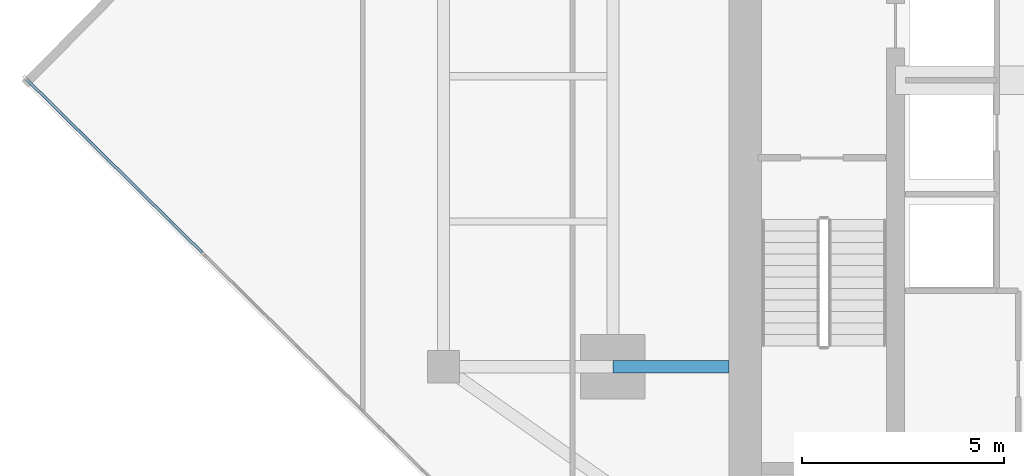
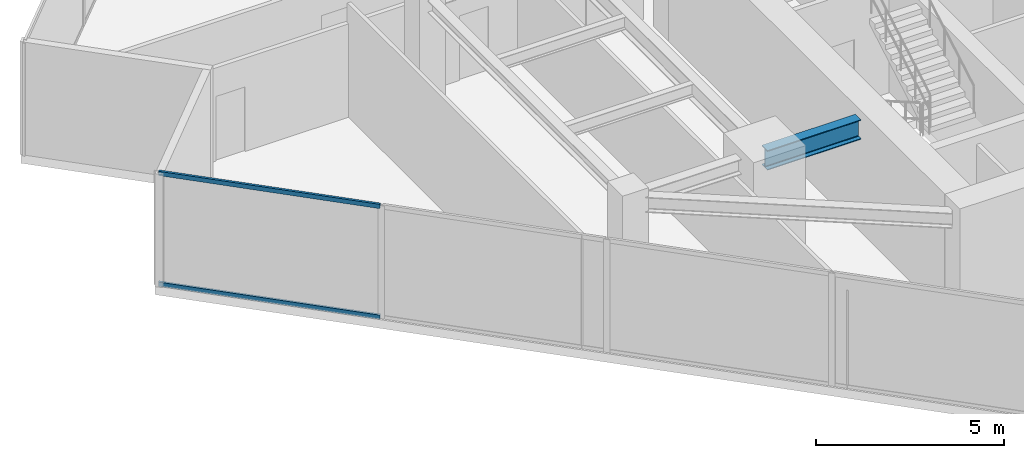
# One storey, part 4 of 24: 2 members, 1 beam, 1 element without a shape of its own.
"""IFC4 building model written with IfcOpenShell, lengths in metres."""

from ifc_helpers import new_model, si_unit, direction, frame, origin, origin_2d, place, context, subcontext, project, spatial, hollow_rectangle, i_section, extrude, source, transform, mapped, material, material_profile, profile_set, type_object, type_shapes, element, aggregate, save


model = new_model("IFC4")

# Units and contexts
model_context = context("Model", 3, precision=1e-05, world=origin(), true_north=direction((0.0, 1.0)))
body_context = subcontext(model_context, "Body", "Model", "MODEL_VIEW")
ifc_project = project(units=[si_unit("LENGTHUNIT", "METRE"), si_unit("AREAUNIT", "SQUARE_METRE"), si_unit("VOLUMEUNIT", "CUBIC_METRE"), si_unit("PLANEANGLEUNIT", "RADIAN"), si_unit("MASSUNIT", "GRAM", prefix="KILO")], contexts=[model_context])

# Site, building, storey
site_placement = place(None, origin())
site = spatial("IfcSite", under=ifc_project, at=site_placement, CompositionType="ELEMENT")
building_placement = place(site_placement, origin())
building = spatial("IfcBuilding", under=site, at=building_placement, Name="Krantzveldt Concourse Tower", CompositionType="ELEMENT")
storey_placement = place(building_placement, frame((0.0, 0.0, 234.949951171875)))
storey = spatial("IfcBuildingStorey", under=building, at=storey_placement, Name="L57", CompositionType="ELEMENT", Elevation=234.949951171875)

# Beam
ifc_material_1 = material(Name="Steel S355JR", Category="steel")
ifc_material_profile_1 = material_profile(ifc_material_1, i_section(OverallWidth=0.300048828125, OverallDepth=0.639892578125, WebThickness=0.013427734375, FlangeThickness=0.02587890625, FilletRadius=0.027099609375, at=origin_2d()), Name="Steel S355JR", Category="steel")
ifc_profile_set_1 = profile_set([ifc_material_profile_1], Name="Steel S355JR - HEA 650")
beam_type = type_object("IfcBeamType", Name="BM-B-HEA650", PredefinedType="BEAM", material=ifc_profile_set_1)
shared_shape_1 = source(origin(), body_context, "Body", "SweptSolid", [
    extrude(i_section(OverallWidth=0.300048828125, OverallDepth=0.639892578125, WebThickness=0.013427734375, FlangeThickness=0.02587890625, FilletRadius=0.027099609375, at=origin_2d()), origin(), (0.0, 0.0, 1.0), 2.880126953125),
])
type_shapes(beam_type, [shared_shape_1])
beam_placement = place(storey_placement, frame((25.199951171875, 15.89990234375, 3.35009765625), z_axis=(1.0, 0.0, 0.0), x_axis=(0.0, 1.0, 0.0)))
element("IfcBeam", 1, at=beam_placement, inside=storey, type_object=beam_type, Name="L57 Tower Girder BG-CW1", PredefinedType="BEAM", context=body_context, shape_type="MappedRepresentation", body=[
    mapped(shared_shape_1, transform((0.0, 0.0, 0.0), x_axis=(1.0, 0.0, 0.0), y_axis=(0.0, 1.0, 0.0), z_axis=(0.0, 0.0, 1.0), scale=1.0)),
])

# Curtain wall, members
ifc_material_2 = material(Name="Anodised aluminium 6063-T6", Category="aluminium")
curtain_wall_type = type_object("IfcCurtainWallType", Name="CW3", PredefinedType="USERDEFINED", material=ifc_material_2)
curtain_wall_placement = place(storey_placement, origin())
curtain_wall = element("IfcCurtainWall", 2, at=curtain_wall_placement, inside=storey, type_object=curtain_wall_type, Name="CW-L57-F04", ObjectType="UNITISED CURTAIN WALL", PredefinedType="USERDEFINED")
ifc_material_profile_2 = material_profile(ifc_material_2, hollow_rectangle(XDim=0.070068359375, YDim=0.139892578125, WallThickness=0.0048828125, at=origin_2d()), Name="Anodised aluminium 6063-T6", Category="aluminium")
ifc_profile_set_2 = profile_set([ifc_material_profile_2], Name="Anodised aluminium 6063-T6 - ALU-TRAN 140x70x5")
member_type = type_object("IfcMemberType", Name="CW-TRN-150", PredefinedType="USERDEFINED", material=ifc_profile_set_2)
shared_shape_2 = source(origin(), body_context, "Body", "SweptSolid", [
    extrude(hollow_rectangle(XDim=0.070068359375, YDim=0.139892578125, WallThickness=0.0048828125, at=origin_2d()), origin(), (0.0, 0.0, 1.0), 6.094970703125),
])
type_shapes(member_type, [shared_shape_2])
member_1_placement = place(storey_placement, frame((10.680908203125, 23.0126953125, 0.03515625), z_axis=(0.711718134154, -0.702465157511, 0.0), x_axis=(0.702465157511, 0.711718134154, 0.0)))
member_1 = element("IfcMember", 3, at=member_1_placement, type_object=member_type, Name="CW-Z34 transom 1.1", ObjectType="TRANSOM", PredefinedType="USERDEFINED", context=body_context, shape_type="MappedRepresentation", body=[
    mapped(shared_shape_2, transform((0.0, 0.0, 0.0), x_axis=(1.0, 0.0, 0.0), y_axis=(0.0, 1.0, 0.0), z_axis=(0.0, 0.0, 1.0), scale=1.0)),
])
member_2_placement = place(storey_placement, frame((10.680908203125, 23.0126953125, 3.635009765625), z_axis=(0.711718134154, -0.702465157511, 0.0), x_axis=(0.702465157511, 0.711718134154, 0.0)))
member_2 = element("IfcMember", 4, at=member_2_placement, type_object=member_type, Name="CW-Z34 transom 1.2", ObjectType="TRANSOM", PredefinedType="USERDEFINED", context=body_context, shape_type="MappedRepresentation", body=[
    mapped(shared_shape_2, transform((0.0, 0.0, 0.0), x_axis=(1.0, 0.0, 0.0), y_axis=(0.0, 1.0, 0.0), z_axis=(0.0, 0.0, 1.0), scale=1.0)),
])
aggregate(curtain_wall, [member_1, member_2])

save(model, "model.ifc")
